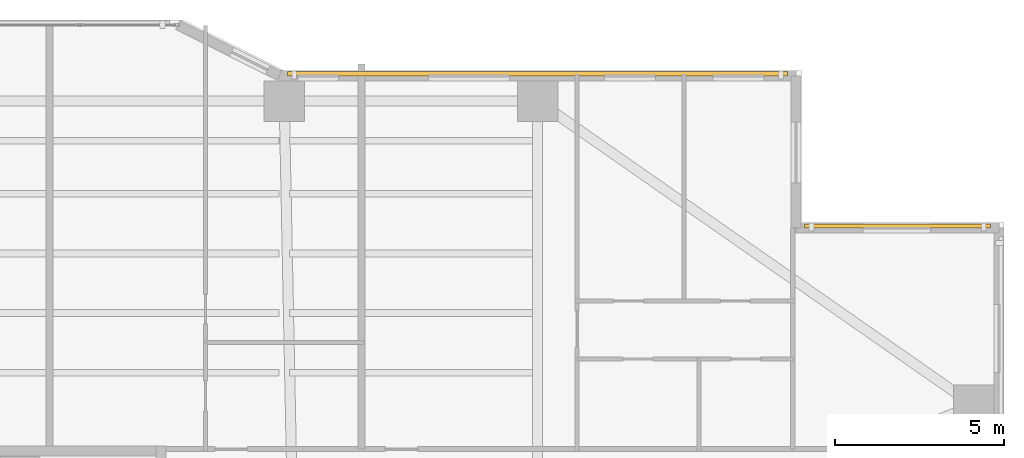
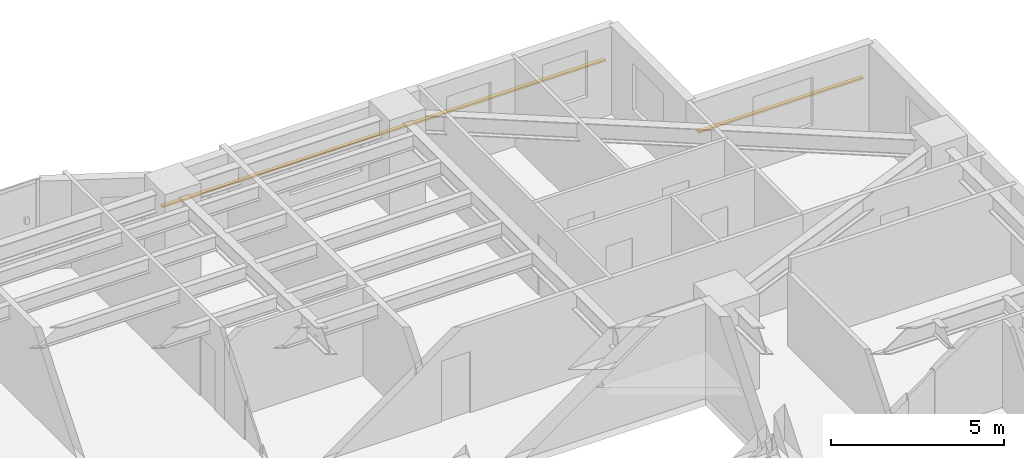
# One storey, part 21 of 21: 2 shading devices.
"""IFC4 building model written with IfcOpenShell, lengths in metres."""

import ifcopenshell
import ifcopenshell.guid

model = None  # the IFC model being written
_history = None  # IfcOwnerHistory: only IFC2X3 demands one
_inside = {}  # id of a spatial element -> (the spatial element, [elements in it])
_under = {}  # id of a project, library or spatial element -> (it, [spatial elements below it])
_declared = {}  # id of a project -> (the project, [libraries it declares])
_typed = {}  # id of a type object -> (the type object, [elements of that type])
_made_of = {}  # id of a material, layer set ... -> (it, [elements and type objects made of it])


def new_model(schema):
    """Start an empty IFC model of exactly this schema.

    Asked for "IFC4X3", IfcOpenShell would pick the latest addendum, in which some entities
    have other attributes; the version numbers below select the first issue.
    IFC2X3 requires an IfcOwnerHistory on every rooted entity: one is made here for all.
    """
    global model, _history
    if schema == "IFC4X3":
        model = ifcopenshell.file(schema_version=(4, 3, 0, 0))
    else:
        model = ifcopenshell.file(schema=schema)
    _inside.clear()
    _under.clear()
    _declared.clear()
    _typed.clear()
    _made_of.clear()
    _history = None
    if model.schema == "IFC2X3":
        org = make("IfcOrganization", Name="unknown")
        user = make(
            "IfcPersonAndOrganization",
            ThePerson=make("IfcPerson", FamilyName="unknown"),
            TheOrganization=org,
        )
        app = make(
            "IfcApplication",
            ApplicationDeveloper=org,
            Version="unknown",
            ApplicationFullName="unknown",
            ApplicationIdentifier="unknown",
        )
        _history = make(
            "IfcOwnerHistory",
            OwningUser=user,
            OwningApplication=app,
            ChangeAction="ADDED",
            CreationDate=0,
        )
    return model


def make(cls, **values):
    """One entity of the class cls with the attributes given. An attribute that is None is left unset."""
    return model.create_entity(
        cls, **{name: value for name, value in values.items() if value is not None}
    )


def rooted(cls, **values):
    """An entity with a GlobalId (a new one), such as an element, a storey or a relation."""
    return make(cls, GlobalId=ifcopenshell.guid.new(), OwnerHistory=_history, **values)


def si_unit(unit_type, name, prefix=None):
    """IfcSIUnit, for example si_unit("LENGTHUNIT", "METRE", prefix="MILLI")."""
    return make("IfcSIUnit", UnitType=unit_type, Prefix=prefix, Name=name)


def assignment(units):
    """IfcUnitAssignment: the units of a project."""
    return None if units is None else make("IfcUnitAssignment", Units=units)


def point(xyz):
    """IfcCartesianPoint."""
    return None if xyz is None else make("IfcCartesianPoint", Coordinates=xyz)


def direction(xyz):
    """IfcDirection."""
    return None if xyz is None else make("IfcDirection", DirectionRatios=xyz)


def frame(location, z_axis=None, x_axis=None):
    """IfcAxis2Placement3D, a coordinate frame: its origin and axes. An axis left out is left unset."""
    return make(
        "IfcAxis2Placement3D",
        Location=point(location),
        Axis=direction(z_axis),
        RefDirection=direction(x_axis),
    )


def frame_2d(location, x_axis=None):
    """IfcAxis2Placement2D, a coordinate frame in the plane: its origin and x axis."""
    return make(
        "IfcAxis2Placement2D", Location=point(location), RefDirection=direction(x_axis)
    )


def origin():
    """The frame at (0, 0, 0) with its axes left unset."""
    return frame((0.0, 0.0, 0.0))


def origin_2d():
    """The frame at (0, 0) in the plane with its x axis left unset."""
    return frame_2d((0.0, 0.0))


def place(relative_to, where):
    """IfcLocalPlacement: puts the frame where relative to a parent placement (None: the world)."""
    return make(
        "IfcLocalPlacement", PlacementRelTo=relative_to, RelativePlacement=where
    )


def context(
    kind, dimensions, precision=None, world=None, true_north=None, identifier=None
):
    """IfcGeometricRepresentationContext, for example the 3D "Model" context."""
    return make(
        "IfcGeometricRepresentationContext",
        ContextIdentifier=identifier,
        ContextType=kind,
        CoordinateSpaceDimension=dimensions,
        Precision=precision,
        WorldCoordinateSystem=world,
        TrueNorth=true_north,
    )


def subcontext(parent, identifier, kind, view, scale=None):
    """IfcGeometricRepresentationSubContext, for example "Body" below "Model"."""
    return make(
        "IfcGeometricRepresentationSubContext",
        ContextIdentifier=identifier,
        ContextType=kind,
        ParentContext=parent,
        TargetScale=scale,
        TargetView=view,
    )


def project(units=None, contexts=None):
    """IfcProject with its units and contexts."""
    return rooted(
        "IfcProject",
        Name="project",
        RepresentationContexts=contexts,
        UnitsInContext=assignment(units),
    )


def spatial(cls, under=None, at=None, **own):
    """A site, building, storey or space (cls), placed at a placement, below another one or the project."""
    s = rooted(cls, ObjectPlacement=at, **own)
    if under is not None:
        _under.setdefault(under.id(), (under, []))[1].append(s)
    return s


def profile(cls, at=None, kind="AREA", **sizes):
    """A parametric profile (cls). Its sizes go by their IFC names, for example OverallWidth=200.0."""
    return make(cls, ProfileType=kind, Position=at, **sizes)


def rectangle(**sizes):
    """IfcRectangleProfileDef."""
    return profile("IfcRectangleProfileDef", **sizes)


def extrude(swept, where, along, depth):
    """IfcExtrudedAreaSolid: the profile swept, set in the frame where, extruded along a direction by depth."""
    return make(
        "IfcExtrudedAreaSolid",
        SweptArea=swept,
        Position=where,
        ExtrudedDirection=direction(along),
        Depth=depth,
    )


def shape(context_of_items, identifier, shape_type, items):
    """IfcShapeRepresentation: the items that make up one representation, for example the "Body"."""
    return make(
        "IfcShapeRepresentation",
        ContextOfItems=context_of_items,
        RepresentationIdentifier=identifier,
        RepresentationType=shape_type,
        Items=items,
    )


def material(Name=None, Category=None):
    """IfcMaterial."""
    return make("IfcMaterial", Name=Name, Category=Category)


def material_profile(
    of_material, cross_section, Name=None, Category=None, Priority=None
):
    """IfcMaterialProfile: a cross section and its material."""
    return make(
        "IfcMaterialProfile",
        Name=Name,
        Material=of_material,
        Profile=cross_section,
        Priority=Priority,
        Category=Category,
    )


def profile_set(profiles, Name=None, composite=None):
    """IfcMaterialProfileSet."""
    return make(
        "IfcMaterialProfileSet",
        Name=Name,
        MaterialProfiles=profiles,
        CompositeProfile=composite,
    )


def made_of(thing, what):
    """Note that an element or type object is made of a material, layer set ...; save() writes the relation."""
    if what is not None:
        _made_of.setdefault(what.id(), (what, []))[1].append(thing)
    return thing


def type_object(cls, material=None, **own):
    """A type object (cls), such as IfcWallType, which elements share."""
    return made_of(rooted(cls, **own), material)


def element(
    cls,
    number,
    at=None,
    inside=None,
    cuts=None,
    type_object=None,
    material=None,
    context=None,
    identifier="Body",
    shape_type=None,
    held_by="IfcProductDefinitionShape",
    body=None,
    shapes=None,
    **own,
):
    """One element of the class cls, such as IfcWall. Its Tag is "e" and its number.

    at: its placement. inside: the storey or other place that contains it. cuts: it is an
    opening in that element (IfcRelVoidsElement). A single representation is given by context,
    identifier, shape_type and body (its items); several are given by shapes. held_by: the class
    of the entity that holds the representations. save() writes the other relations.
    """
    e = rooted(cls, Tag="e%d" % number, ObjectPlacement=at, **own)
    if body is not None:
        shapes = [shape(context, identifier, shape_type, body)]
    if shapes is not None:
        e.Representation = make(held_by, Representations=shapes)
    if inside is not None:
        _inside.setdefault(inside.id(), (inside, []))[1].append(e)
    if cuts is not None:
        rooted(
            "IfcRelVoidsElement", RelatingBuildingElement=cuts, RelatedOpeningElement=e
        )
    if type_object is not None:
        _typed.setdefault(type_object.id(), (type_object, []))[1].append(e)
    return made_of(e, material)


def aggregate(whole, parts):
    """IfcRelAggregates: a whole, such as a stair, and the parts it consists of."""
    return rooted("IfcRelAggregates", RelatingObject=whole, RelatedObjects=parts)


def save(model, path):
    """Write the relations noted so far, then the file.

    IfcRelAggregates (storeys below a building ...), IfcRelContainedInSpatialStructure (elements
    in a storey), IfcRelDefinesByType, IfcRelAssociatesMaterial and IfcRelDeclares: one each for
    every whole, place, type object, material and project.
    """
    for whole, parts in _under.values():
        aggregate(whole, parts)
    for where, things in _inside.values():
        rooted(
            "IfcRelContainedInSpatialStructure",
            RelatedElements=things,
            RelatingStructure=where,
        )
    for kind, things in _typed.values():
        rooted("IfcRelDefinesByType", RelatedObjects=things, RelatingType=kind)
    for what, things in _made_of.values():
        rooted("IfcRelAssociatesMaterial", RelatedObjects=things, RelatingMaterial=what)
    for by, libraries in _declared.values():
        rooted("IfcRelDeclares", RelatingContext=by, RelatedDefinitions=libraries)
    model.write(path)


model = new_model("IFC4")

# Units and contexts
model_context = context("Model", 3, precision=1e-05, world=origin(), true_north=direction((0.0, 1.0)))
body_context = subcontext(model_context, "Body", "Model", "MODEL_VIEW")
ifc_project = project(units=[si_unit("LENGTHUNIT", "METRE"), si_unit("AREAUNIT", "SQUARE_METRE"), si_unit("VOLUMEUNIT", "CUBIC_METRE"), si_unit("PLANEANGLEUNIT", "RADIAN"), si_unit("MASSUNIT", "GRAM", prefix="KILO")], contexts=[model_context])

# Site, building, storey
site_placement = place(None, origin())
site = spatial("IfcSite", under=ifc_project, at=site_placement, CompositionType="ELEMENT")
building_placement = place(site_placement, origin())
building = spatial("IfcBuilding", under=site, at=building_placement, Name="Tarnavaz Court Tower", CompositionType="ELEMENT")
storey_placement = place(building_placement, frame((0.0, 0.0, 44.10009765625)))
storey = spatial("IfcBuildingStorey", under=building, at=storey_placement, Name="L11", CompositionType="ELEMENT", Elevation=44.10009765625)

# Shading devices
ifc_material = material(Name="Kiln-Fired Khorasan Terracotta Ceramic", Category="masonry")
ifc_material_profile = material_profile(ifc_material, rectangle(XDim=0.1201171875, YDim=0.06005859375, at=origin_2d()), Name="TC BAGUETTE 120X60")
ifc_profile_set = profile_set([ifc_material_profile], Name="Kiln-Fired Khorasan Terracotta Ceramic")
shading_device_type = type_object("IfcShadingDeviceType", Name="SD-BAG-120", PredefinedType="USERDEFINED", material=ifc_profile_set)
shading_device_1_placement = place(storey_placement, frame((7.60009765625, 23.610107421875, 1.849853515625), z_axis=(1.0, 0.0, 0.0), x_axis=(0.0, 1.0, 0.0)))
element("IfcShadingDevice", 1, at=shading_device_1_placement, inside=storey, type_object=shading_device_type, Name="L11 Terracotta Baguette Screen FBG09", ObjectType="BAGUETTE", PredefinedType="USERDEFINED", context=body_context, shape_type="SweptSolid", body=[
    extrude(rectangle(XDim=0.1201171875, YDim=0.06005859375, at=origin_2d()), origin(), (0.0, 0.0, 1.0), 14.7998046875),
])
shading_device_2_placement = place(storey_placement, frame((22.89990234375, 19.110107421875, 1.849853515625), z_axis=(1.0, 0.0, 0.0), x_axis=(0.0, 1.0, 0.0)))
element("IfcShadingDevice", 2, at=shading_device_2_placement, inside=storey, type_object=shading_device_type, Name="L11 Terracotta Baguette Screen FBG11", ObjectType="BAGUETTE", PredefinedType="USERDEFINED", context=body_context, shape_type="SweptSolid", body=[
    extrude(rectangle(XDim=0.1201171875, YDim=0.06005859375, at=origin_2d()), origin(), (0.0, 0.0, 1.0), 5.5),
])

save(model, "model.ifc")
